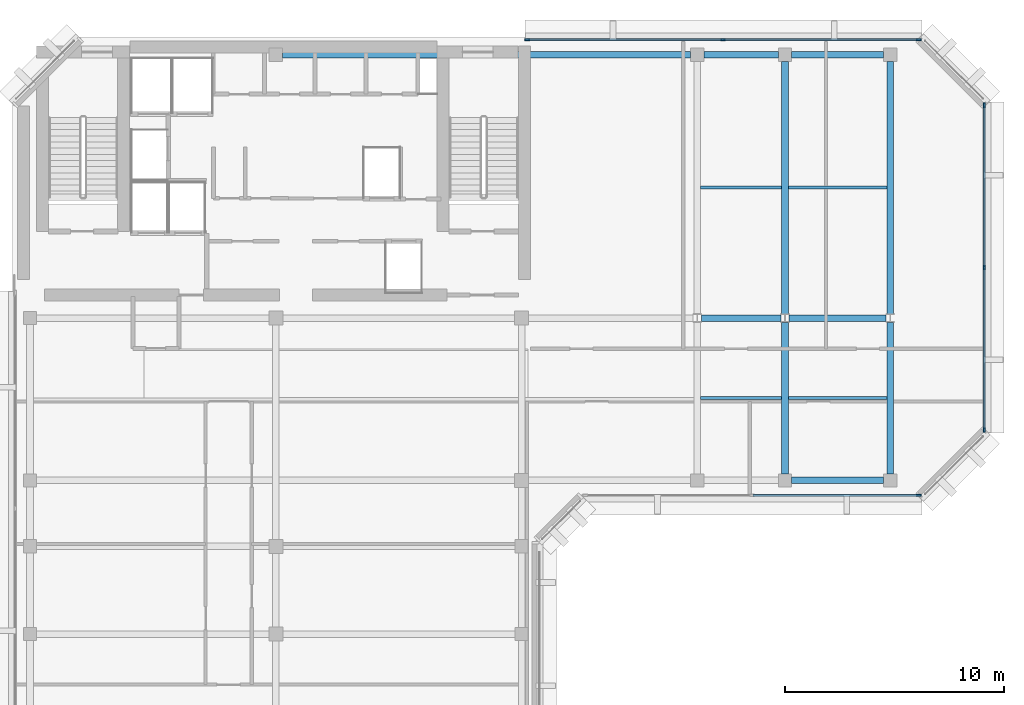
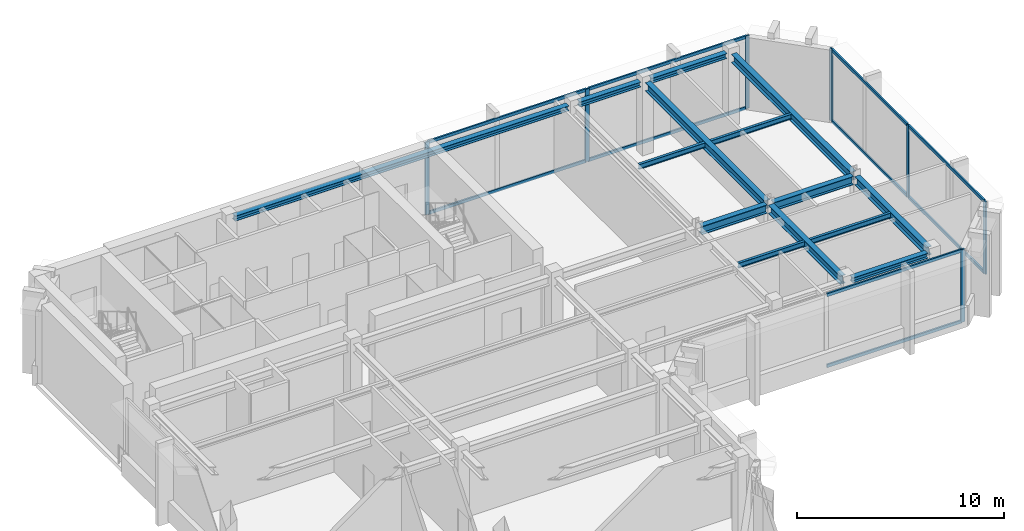
# One storey, part 3 of 9: 17 members, 14 beams, 3 elements without a shape of their own.
"""IFC4 building model written with IfcOpenShell, lengths in metres."""

from ifc_helpers import new_model, si_unit, direction, frame, origin, origin_2d, place, context, subcontext, project, spatial, rectangle, i_section, extrude, material, layer, layer_set, material_profile, profile_set, type_object, element, aggregate, save


model = new_model("IFC4")

# Units and contexts
model_context = context("Model", 3, precision=1e-05, world=origin(), true_north=direction((0.0, 1.0)))
body_context = subcontext(model_context, "Body", "Model", "MODEL_VIEW")
ifc_project = project(units=[si_unit("LENGTHUNIT", "METRE"), si_unit("AREAUNIT", "SQUARE_METRE"), si_unit("VOLUMEUNIT", "CUBIC_METRE"), si_unit("PLANEANGLEUNIT", "RADIAN"), si_unit("MASSUNIT", "GRAM", prefix="KILO")], contexts=[model_context])

# Site, building, storey
site_placement = place(None, origin())
site = spatial("IfcSite", under=ifc_project, at=site_placement, CompositionType="ELEMENT")
building_placement = place(site_placement, origin())
building = spatial("IfcBuilding", under=site, at=building_placement, Name="Kefirva Bronze Tower", CompositionType="ELEMENT")
storey_placement = place(building_placement, frame((0.0, 0.0, 361.35009765625)))
storey = spatial("IfcBuildingStorey", under=building, at=storey_placement, Name="L88", CompositionType="ELEMENT", Elevation=361.35009765625)

# Curtain wall, member
ifc_material_1 = material(Name="Bronze anodised aluminium", Category="aluminium")
ifc_layer = layer(ifc_material_1, 0.219970703125, Name="Bronze anodised aluminium")
ifc_layer_set = layer_set([ifc_layer], Name="Bronze anodised aluminium")
curtain_wall_type = type_object("IfcCurtainWallType", Name="Slanted Crown Faceted Bronze Curtain Wall", PredefinedType="USERDEFINED", material=ifc_layer_set)
curtain_wall_1_placement = place(storey_placement, origin())
curtain_wall_1 = element("IfcCurtainWall", 1, at=curtain_wall_1_placement, inside=storey, type_object=curtain_wall_type, Name="L88 Curtain Wall 2", ObjectType="UNITISED CURTAIN WALL", PredefinedType="USERDEFINED")
ifc_material_profile_1 = material_profile(ifc_material_1, rectangle(XDim=0.090087890625, YDim=0.219970703125, at=origin_2d()), Name="ALU 90x220")
ifc_profile_set_1 = profile_set([ifc_material_profile_1], Name="Bronze anodised aluminium")
member_type_1 = type_object("IfcMemberType", Name="Bronze Mullion 90x220", PredefinedType="MULLION", material=ifc_profile_set_1)
member_1_placement = place(storey_placement, frame((41.300048828125, 25.1201171875, 0.0), z_axis=(0.0, 0.0, 1.0), x_axis=(0.0, 1.0, 0.0)))
member_1 = element("IfcMember", 2, at=member_1_placement, type_object=member_type_1, Name="CW-07 mullion 3", PredefinedType="MULLION", context=body_context, shape_type="SweptSolid", body=[
    extrude(rectangle(XDim=0.090087890625, YDim=0.219970703125, at=origin_2d()), origin(), (0.0, 0.0, 1.0), 4.27001953125),
])

# Curtain wall, members
curtain_wall_2_placement = place(storey_placement, origin())
curtain_wall_2 = element("IfcCurtainWall", 3, at=curtain_wall_2_placement, inside=storey, type_object=curtain_wall_type, Name="L88 Curtain Wall 3", ObjectType="UNITISED CURTAIN WALL", PredefinedType="USERDEFINED")
member_2_placement = place(storey_placement, frame((44.280029296875, 28.10009765625, 0.0), z_axis=(0.0, 0.0, 1.0), x_axis=(-1.0, 0.0, 0.0)))
member_2 = element("IfcMember", 4, at=member_2_placement, type_object=member_type_1, Name="CW-07 mullion 1", PredefinedType="MULLION", context=body_context, shape_type="SweptSolid", body=[
    extrude(rectangle(XDim=0.090087890625, YDim=0.219970703125, at=origin_2d()), origin(), (0.0, 0.0, 1.0), 4.27001953125),
])
member_3_placement = place(storey_placement, frame((44.280029296875, 35.5, 0.0), z_axis=(0.0, 0.0, 1.0), x_axis=(-1.0, 0.0, 0.0)))
member_3 = element("IfcMember", 5, at=member_3_placement, type_object=member_type_1, Name="CW-07 mullion 2", PredefinedType="MULLION", context=body_context, shape_type="SweptSolid", body=[
    extrude(rectangle(XDim=0.090087890625, YDim=0.219970703125, at=origin_2d()), origin(), (0.0, 0.0, 1.0), 4.27001953125),
])
member_4_placement = place(storey_placement, frame((44.280029296875, 42.89990234375, 0.0), z_axis=(0.0, 0.0, 1.0), x_axis=(-1.0, 0.0, 0.0)))
member_4 = element("IfcMember", 6, at=member_4_placement, type_object=member_type_1, Name="CW-07 mullion 3", PredefinedType="MULLION", context=body_context, shape_type="SweptSolid", body=[
    extrude(rectangle(XDim=0.090087890625, YDim=0.219970703125, at=origin_2d()), origin(), (0.0, 0.0, 1.0), 4.27001953125),
])

curtain_wall_3_placement = place(storey_placement, origin())
curtain_wall_3 = element("IfcCurtainWall", 7, at=curtain_wall_3_placement, inside=storey, type_object=curtain_wall_type, Name="L88 Curtain Wall 4", ObjectType="UNITISED CURTAIN WALL", PredefinedType="USERDEFINED")
member_5_placement = place(storey_placement, frame((41.300048828125, 45.8798828125, 0.0), z_axis=(0.0, 0.0, 1.0), x_axis=(0.0, -1.0, 0.0)))
member_5 = element("IfcMember", 8, at=member_5_placement, type_object=member_type_1, Name="CW-07 mullion 1", PredefinedType="MULLION", context=body_context, shape_type="SweptSolid", body=[
    extrude(rectangle(XDim=0.090087890625, YDim=0.219970703125, at=origin_2d()), origin(), (0.0, 0.0, 1.0), 4.27001953125),
])
member_6_placement = place(storey_placement, frame((32.375, 45.8798828125, 0.0), z_axis=(0.0, 0.0, 1.0), x_axis=(0.0, -1.0, 0.0)))
member_6 = element("IfcMember", 9, at=member_6_placement, type_object=member_type_1, Name="CW-07 mullion 2", PredefinedType="MULLION", context=body_context, shape_type="SweptSolid", body=[
    extrude(rectangle(XDim=0.090087890625, YDim=0.219970703125, at=origin_2d()), origin(), (0.0, 0.0, 1.0), 4.27001953125),
])
member_7_placement = place(storey_placement, frame((23.449951171875, 45.8798828125, 0.0), z_axis=(0.0, 0.0, 1.0), x_axis=(0.0, -1.0, 0.0)))
member_7 = element("IfcMember", 10, at=member_7_placement, type_object=member_type_1, Name="CW-07 mullion 3", PredefinedType="MULLION", context=body_context, shape_type="SweptSolid", body=[
    extrude(rectangle(XDim=0.090087890625, YDim=0.219970703125, at=origin_2d()), origin(), (0.0, 0.0, 1.0), 4.27001953125),
])

# Member
ifc_material_profile_2 = material_profile(ifc_material_1, rectangle(XDim=0.090087890625, YDim=0.179931640625, at=origin_2d()), Name="ALU 90x180")
ifc_profile_set_2 = profile_set([ifc_material_profile_2], Name="Bronze anodised aluminium")
member_type_2 = type_object("IfcMemberType", Name="Bronze Transom 90x180", PredefinedType="USERDEFINED", material=ifc_profile_set_2)
member_8_placement = place(storey_placement, frame((33.7451171875, 25.1201171875, 0.044921875), z_axis=(1.0, 0.0, 0.0), x_axis=(0.0, 1.0, 0.0)))
member_8 = element("IfcMember", 11, at=member_8_placement, type_object=member_type_2, Name="CW-07 transom 2.1", ObjectType="TRANSOM", PredefinedType="USERDEFINED", context=body_context, shape_type="SweptSolid", body=[
    extrude(rectangle(XDim=0.090087890625, YDim=0.179931640625, at=origin_2d()), origin(), (0.0, 0.0, 1.0), 7.509765625),
])

member_9_placement = place(storey_placement, frame((33.7451171875, 25.1201171875, 4.224853515625), z_axis=(1.0, 0.0, 0.0), x_axis=(0.0, 1.0, 0.0)))
member_9 = element("IfcMember", 12, at=member_9_placement, type_object=member_type_2, Name="CW-07 transom 2.2", ObjectType="TRANSOM", PredefinedType="USERDEFINED", context=body_context, shape_type="SweptSolid", body=[
    extrude(rectangle(XDim=0.090087890625, YDim=0.179931640625, at=origin_2d()), origin(), (0.0, 0.0, 1.0), 7.509765625),
])

aggregate(curtain_wall_1, [member_1, member_8, member_9])

member_10_placement = place(storey_placement, frame((44.280029296875, 28.14501953125, 0.044921875), z_axis=(0.0, 1.0, 0.0), x_axis=(-1.0, 0.0, 0.0)))
member_10 = element("IfcMember", 13, at=member_10_placement, type_object=member_type_2, Name="CW-07 transom 1.1", ObjectType="TRANSOM", PredefinedType="USERDEFINED", context=body_context, shape_type="SweptSolid", body=[
    extrude(rectangle(XDim=0.090087890625, YDim=0.179931640625, at=origin_2d()), origin(), (0.0, 0.0, 1.0), 7.31005859375),
])

member_11_placement = place(storey_placement, frame((44.280029296875, 28.14501953125, 4.224853515625), z_axis=(0.0, 1.0, 0.0), x_axis=(-1.0, 0.0, 0.0)))
member_11 = element("IfcMember", 14, at=member_11_placement, type_object=member_type_2, Name="CW-07 transom 1.2", ObjectType="TRANSOM", PredefinedType="USERDEFINED", context=body_context, shape_type="SweptSolid", body=[
    extrude(rectangle(XDim=0.090087890625, YDim=0.179931640625, at=origin_2d()), origin(), (0.0, 0.0, 1.0), 7.31005859375),
])

member_12_placement = place(storey_placement, frame((44.280029296875, 35.544921875, 0.044921875), z_axis=(0.0, 1.0, 0.0), x_axis=(-1.0, 0.0, 0.0)))
member_12 = element("IfcMember", 15, at=member_12_placement, type_object=member_type_2, Name="CW-07 transom 2.1", ObjectType="TRANSOM", PredefinedType="USERDEFINED", context=body_context, shape_type="SweptSolid", body=[
    extrude(rectangle(XDim=0.090087890625, YDim=0.179931640625, at=origin_2d()), origin(), (0.0, 0.0, 1.0), 7.31005859375),
])

member_13_placement = place(storey_placement, frame((44.280029296875, 35.544921875, 4.224853515625), z_axis=(0.0, 1.0, 0.0), x_axis=(-1.0, 0.0, 0.0)))
member_13 = element("IfcMember", 16, at=member_13_placement, type_object=member_type_2, Name="CW-07 transom 2.2", ObjectType="TRANSOM", PredefinedType="USERDEFINED", context=body_context, shape_type="SweptSolid", body=[
    extrude(rectangle(XDim=0.090087890625, YDim=0.179931640625, at=origin_2d()), origin(), (0.0, 0.0, 1.0), 7.31005859375),
])

aggregate(curtain_wall_2, [member_2, member_3, member_4, member_10, member_11, member_12, member_13])

member_14_placement = place(storey_placement, frame((41.2548828125, 45.8798828125, 0.044921875), z_axis=(-1.0, 0.0, 0.0), x_axis=(0.0, -1.0, 0.0)))
member_14 = element("IfcMember", 17, at=member_14_placement, type_object=member_type_2, Name="CW-07 transom 1.1", ObjectType="TRANSOM", PredefinedType="USERDEFINED", context=body_context, shape_type="SweptSolid", body=[
    extrude(rectangle(XDim=0.090087890625, YDim=0.179931640625, at=origin_2d()), origin(), (0.0, 0.0, 1.0), 8.8349609375),
])

member_15_placement = place(storey_placement, frame((41.2548828125, 45.8798828125, 4.224853515625), z_axis=(-1.0, 0.0, 0.0), x_axis=(0.0, -1.0, 0.0)))
member_15 = element("IfcMember", 18, at=member_15_placement, type_object=member_type_2, Name="CW-07 transom 1.2", ObjectType="TRANSOM", PredefinedType="USERDEFINED", context=body_context, shape_type="SweptSolid", body=[
    extrude(rectangle(XDim=0.090087890625, YDim=0.179931640625, at=origin_2d()), origin(), (0.0, 0.0, 1.0), 8.8349609375),
])

member_16_placement = place(storey_placement, frame((32.330078125, 45.8798828125, 0.044921875), z_axis=(-1.0, 0.0, 0.0), x_axis=(0.0, -1.0, 0.0)))
member_16 = element("IfcMember", 19, at=member_16_placement, type_object=member_type_2, Name="CW-07 transom 2.1", ObjectType="TRANSOM", PredefinedType="USERDEFINED", context=body_context, shape_type="SweptSolid", body=[
    extrude(rectangle(XDim=0.090087890625, YDim=0.179931640625, at=origin_2d()), origin(), (0.0, 0.0, 1.0), 8.8349609375),
])

member_17_placement = place(storey_placement, frame((32.330078125, 45.8798828125, 4.224853515625), z_axis=(-1.0, 0.0, 0.0), x_axis=(0.0, -1.0, 0.0)))
member_17 = element("IfcMember", 20, at=member_17_placement, type_object=member_type_2, Name="CW-07 transom 2.2", ObjectType="TRANSOM", PredefinedType="USERDEFINED", context=body_context, shape_type="SweptSolid", body=[
    extrude(rectangle(XDim=0.090087890625, YDim=0.179931640625, at=origin_2d()), origin(), (0.0, 0.0, 1.0), 8.8349609375),
])

aggregate(curtain_wall_3, [member_5, member_6, member_7, member_14, member_15, member_16, member_17])

# Beams
ifc_material_2 = material(Name="Steel S355", Category="steel")
ifc_material_profile_3 = material_profile(ifc_material_2, i_section(OverallWidth=0.14990234375, OverallDepth=0.300048828125, WebThickness=0.007080078125, FlangeThickness=0.0107421875, at=origin_2d()), Name="IPE 300")
ifc_profile_set_3 = profile_set([ifc_material_profile_3], Name="Steel S355")
beam_type_1 = type_object("IfcBeamType", Name="Steel Floor Joist IPE 300", PredefinedType="JOIST", material=ifc_profile_set_3)
for number, where, z_axis, x_axis, name in (
    (21, (31.35009765625, 29.55322265625, 4.119873046875), (1.0, 0.0, 0.0), (0.0, 1.0, 0.0), "L88 JST-L88-31-295"),
    (22, (31.35009765625, 39.146728515625, 4.119873046875), (1.0, 0.0, 0.0), (0.0, 1.0, 0.0), "L88 JST-L88-31-391"),
):
    element("IfcBeam", number, at=place(storey_placement, frame(where, z_axis=z_axis, x_axis=x_axis)), inside=storey, type_object=beam_type_1, Name=name, PredefinedType="JOIST", context=body_context, shape_type="SweptSolid", body=[
        extrude(i_section(OverallWidth=0.14990234375, OverallDepth=0.300048828125, WebThickness=0.007080078125, FlangeThickness=0.0107421875, at=origin_2d()), origin(), (0.0, 0.0, 1.0), 3.699951171875),
    ])
for number, where, z_axis, x_axis, name in (
    (23, (35.35009765625, 29.55322265625, 4.119873046875), (1.0, 0.0, 0.0), (0.0, 1.0, 0.0), "L88 JST-L88-35-295"),
    (24, (35.35009765625, 39.146728515625, 4.119873046875), (1.0, 0.0, 0.0), (0.0, 1.0, 0.0), "L88 JST-L88-35-391"),
):
    element("IfcBeam", number, at=place(storey_placement, frame(where, z_axis=z_axis, x_axis=x_axis)), inside=storey, type_object=beam_type_1, Name=name, PredefinedType="JOIST", context=body_context, shape_type="SweptSolid", body=[
        extrude(i_section(OverallWidth=0.14990234375, OverallDepth=0.300048828125, WebThickness=0.007080078125, FlangeThickness=0.0107421875, at=origin_2d()), origin(), (0.0, 0.0, 1.0), 4.5),
    ])
ifc_material_profile_4 = material_profile(ifc_material_2, i_section(OverallWidth=0.300048828125, OverallDepth=0.5, WebThickness=0.014404296875, FlangeThickness=0.028076171875, at=origin_2d()), Name="HEB 500")
ifc_profile_set_4 = profile_set([ifc_material_profile_4], Name="Steel S355")
beam_type_2 = type_object("IfcBeamType", Name="Steel Girder HEB 500", PredefinedType="USERDEFINED", material=ifc_profile_set_4)
beam_1_placement = place(storey_placement, frame((31.388427734375, 33.199951171875, 4.02001953125), z_axis=(1.0, 0.0, 0.0), x_axis=(0.0, 1.0, 0.0)))
element("IfcBeam", 25, at=beam_1_placement, inside=storey, type_object=beam_type_2, Name="L88 BM-L88-EW-31-332", ObjectType="GIRDER", PredefinedType="USERDEFINED", context=body_context, shape_type="SweptSolid", body=[
    extrude(i_section(OverallWidth=0.300048828125, OverallDepth=0.5, WebThickness=0.014404296875, FlangeThickness=0.028076171875, at=origin_2d()), origin(), (0.0, 0.0, 1.0), 3.623046875),
])
beam_2_placement = place(storey_placement, frame((35.388427734375, 33.199951171875, 4.02001953125), z_axis=(1.0, 0.0, 0.0), x_axis=(0.0, 1.0, 0.0)))
element("IfcBeam", 26, at=beam_2_placement, inside=storey, type_object=beam_type_2, Name="L88 BM-L88-EW-35-332", ObjectType="GIRDER", PredefinedType="USERDEFINED", context=body_context, shape_type="SweptSolid", body=[
    extrude(i_section(OverallWidth=0.300048828125, OverallDepth=0.5, WebThickness=0.014404296875, FlangeThickness=0.028076171875, at=origin_2d()), origin(), (0.0, 0.0, 1.0), 4.423095703125),
])
beam_3_placement = place(storey_placement, frame((35.199951171875, 26.10009765625, 4.02001953125), z_axis=(0.0, 1.0, 0.0), x_axis=(-1.0, 0.0, 0.0)))
element("IfcBeam", 27, at=beam_3_placement, inside=storey, type_object=beam_type_2, Name="L88 BM-L88-NS-352-25", ObjectType="GIRDER", PredefinedType="USERDEFINED", context=body_context, shape_type="SweptSolid", body=[
    extrude(i_section(OverallWidth=0.300048828125, OverallDepth=0.5, WebThickness=0.014404296875, FlangeThickness=0.028076171875, at=origin_2d()), origin(), (0.0, 0.0, 1.0), 6.906494140625),
])
beam_4_placement = place(storey_placement, frame((35.199951171875, 33.3935546875, 4.02001953125), z_axis=(0.0, 1.0, 0.0), x_axis=(-1.0, 0.0, 0.0)))
element("IfcBeam", 28, at=beam_4_placement, inside=storey, type_object=beam_type_2, Name="L88 BM-L88-NS-352-33", ObjectType="GIRDER", PredefinedType="USERDEFINED", context=body_context, shape_type="SweptSolid", body=[
    extrude(i_section(OverallWidth=0.300048828125, OverallDepth=0.5, WebThickness=0.014404296875, FlangeThickness=0.028076171875, at=origin_2d()), origin(), (0.0, 0.0, 1.0), 11.50634765625),
])
beam_5_placement = place(storey_placement, frame((40.0, 26.10009765625, 4.02001953125), z_axis=(0.0, 1.0, 0.0), x_axis=(-1.0, 0.0, 0.0)))
element("IfcBeam", 29, at=beam_5_placement, inside=storey, type_object=beam_type_2, Name="L88 BM-L88-NS-400-25", ObjectType="GIRDER", PredefinedType="USERDEFINED", context=body_context, shape_type="SweptSolid", body=[
    extrude(i_section(OverallWidth=0.300048828125, OverallDepth=0.5, WebThickness=0.014404296875, FlangeThickness=0.028076171875, at=origin_2d()), origin(), (0.0, 0.0, 1.0), 6.906494140625),
])
beam_6_placement = place(storey_placement, frame((40.0, 33.3935546875, 4.02001953125), z_axis=(0.0, 1.0, 0.0), x_axis=(-1.0, 0.0, 0.0)))
element("IfcBeam", 30, at=beam_6_placement, inside=storey, type_object=beam_type_2, Name="L88 BM-L88-NS-400-33", ObjectType="GIRDER", PredefinedType="USERDEFINED", context=body_context, shape_type="SweptSolid", body=[
    extrude(i_section(OverallWidth=0.300048828125, OverallDepth=0.5, WebThickness=0.014404296875, FlangeThickness=0.028076171875, at=origin_2d()), origin(), (0.0, 0.0, 1.0), 11.50634765625),
])
ifc_material_profile_5 = material_profile(ifc_material_2, i_section(OverallWidth=0.300048828125, OverallDepth=0.300048828125, WebThickness=0.010986328125, FlangeThickness=0.01904296875, at=origin_2d()), Name="HEB 300")
ifc_profile_set_5 = profile_set([ifc_material_profile_5], Name="Steel S355")
beam_type_3 = type_object("IfcBeamType", Name="Steel Spandrel HEB 300 Ext", PredefinedType="SPANDREL", material=ifc_profile_set_5)
beam_7_placement = place(storey_placement, frame((35.5, 25.800048828125, 4.119873046875), z_axis=(1.0, 0.0, 0.0), x_axis=(0.0, 1.0, 0.0)))
element("IfcBeam", 31, at=beam_7_placement, inside=storey, type_object=beam_type_3, Name="L88 BM-L88-EW-35-258", PredefinedType="SPANDREL", context=body_context, shape_type="SweptSolid", body=[
    extrude(i_section(OverallWidth=0.300048828125, OverallDepth=0.300048828125, WebThickness=0.010986328125, FlangeThickness=0.01904296875, at=origin_2d()), origin(), (0.0, 0.0, 1.0), 4.199951171875),
])
beam_8_placement = place(storey_placement, frame((12.300048828125, 45.199951171875, 4.119873046875), z_axis=(1.0, 0.0, 0.0), x_axis=(0.0, 1.0, 0.0)))
element("IfcBeam", 32, at=beam_8_placement, inside=storey, type_object=beam_type_3, Name="L88 BM-L88-EW-12-452", PredefinedType="SPANDREL", context=body_context, shape_type="SweptSolid", body=[
    extrude(i_section(OverallWidth=0.300048828125, OverallDepth=0.300048828125, WebThickness=0.010986328125, FlangeThickness=0.01904296875, at=origin_2d()), origin(), (0.0, 0.0, 1.0), 18.599853515625),
])
beam_9_placement = place(storey_placement, frame((31.5, 45.199951171875, 4.119873046875), z_axis=(1.0, 0.0, 0.0), x_axis=(0.0, 1.0, 0.0)))
element("IfcBeam", 33, at=beam_9_placement, inside=storey, type_object=beam_type_3, Name="L88 BM-L88-EW-31-452", PredefinedType="SPANDREL", context=body_context, shape_type="SweptSolid", body=[
    extrude(i_section(OverallWidth=0.300048828125, OverallDepth=0.300048828125, WebThickness=0.010986328125, FlangeThickness=0.01904296875, at=origin_2d()), origin(), (0.0, 0.0, 1.0), 3.39990234375),
])
beam_10_placement = place(storey_placement, frame((35.5, 45.199951171875, 4.119873046875), z_axis=(1.0, 0.0, 0.0), x_axis=(0.0, 1.0, 0.0)))
element("IfcBeam", 34, at=beam_10_placement, inside=storey, type_object=beam_type_3, Name="L88 BM-L88-EW-35-452", PredefinedType="SPANDREL", context=body_context, shape_type="SweptSolid", body=[
    extrude(i_section(OverallWidth=0.300048828125, OverallDepth=0.300048828125, WebThickness=0.010986328125, FlangeThickness=0.01904296875, at=origin_2d()), origin(), (0.0, 0.0, 1.0), 4.199951171875),
])

save(model, "model.ifc")
